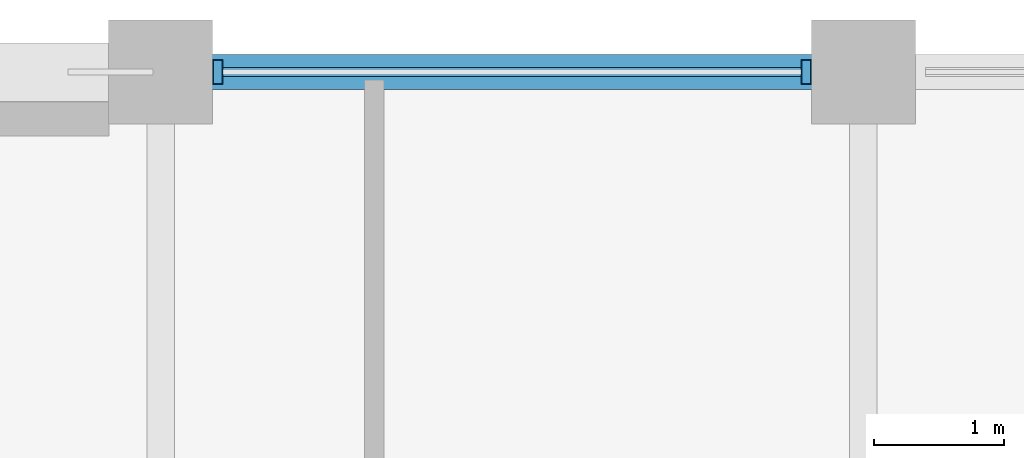
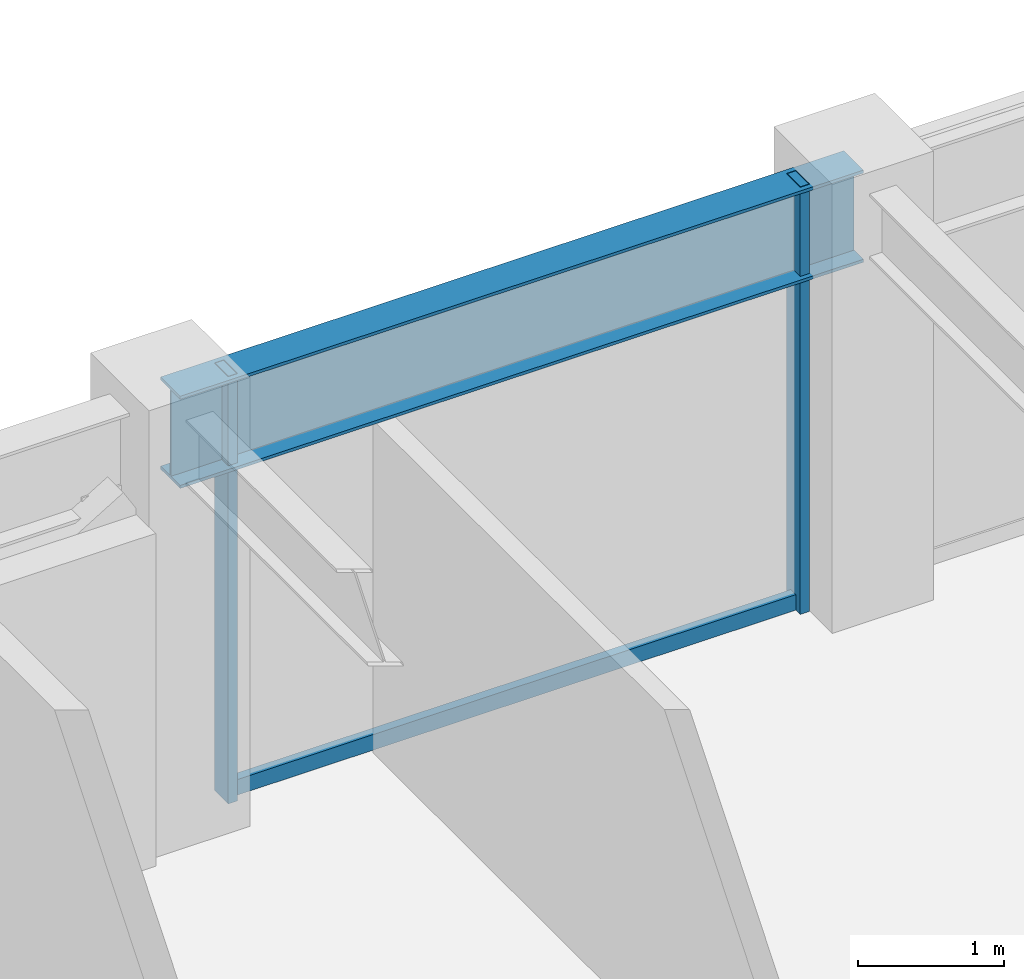
# One storey, part 20 of 30: 3 members, 1 beam, 1 element without a shape of its own.
"""IFC4 building model written with IfcOpenShell, lengths in metres."""

import ifcopenshell
import ifcopenshell.guid

model = None  # the IFC model being written
_history = None  # IfcOwnerHistory: only IFC2X3 demands one
_inside = {}  # id of a spatial element -> (the spatial element, [elements in it])
_under = {}  # id of a project, library or spatial element -> (it, [spatial elements below it])
_declared = {}  # id of a project -> (the project, [libraries it declares])
_typed = {}  # id of a type object -> (the type object, [elements of that type])
_made_of = {}  # id of a material, layer set ... -> (it, [elements and type objects made of it])


def new_model(schema):
    """Start an empty IFC model of exactly this schema.

    Asked for "IFC4X3", IfcOpenShell would pick the latest addendum, in which some entities
    have other attributes; the version numbers below select the first issue.
    IFC2X3 requires an IfcOwnerHistory on every rooted entity: one is made here for all.
    """
    global model, _history
    if schema == "IFC4X3":
        model = ifcopenshell.file(schema_version=(4, 3, 0, 0))
    else:
        model = ifcopenshell.file(schema=schema)
    _inside.clear()
    _under.clear()
    _declared.clear()
    _typed.clear()
    _made_of.clear()
    _history = None
    if model.schema == "IFC2X3":
        org = make("IfcOrganization", Name="unknown")
        user = make(
            "IfcPersonAndOrganization",
            ThePerson=make("IfcPerson", FamilyName="unknown"),
            TheOrganization=org,
        )
        app = make(
            "IfcApplication",
            ApplicationDeveloper=org,
            Version="unknown",
            ApplicationFullName="unknown",
            ApplicationIdentifier="unknown",
        )
        _history = make(
            "IfcOwnerHistory",
            OwningUser=user,
            OwningApplication=app,
            ChangeAction="ADDED",
            CreationDate=0,
        )
    return model


def make(cls, **values):
    """One entity of the class cls with the attributes given. An attribute that is None is left unset."""
    return model.create_entity(
        cls, **{name: value for name, value in values.items() if value is not None}
    )


def rooted(cls, **values):
    """An entity with a GlobalId (a new one), such as an element, a storey or a relation."""
    return make(cls, GlobalId=ifcopenshell.guid.new(), OwnerHistory=_history, **values)


def si_unit(unit_type, name, prefix=None):
    """IfcSIUnit, for example si_unit("LENGTHUNIT", "METRE", prefix="MILLI")."""
    return make("IfcSIUnit", UnitType=unit_type, Prefix=prefix, Name=name)


def assignment(units):
    """IfcUnitAssignment: the units of a project."""
    return None if units is None else make("IfcUnitAssignment", Units=units)


def point(xyz):
    """IfcCartesianPoint."""
    return None if xyz is None else make("IfcCartesianPoint", Coordinates=xyz)


def direction(xyz):
    """IfcDirection."""
    return None if xyz is None else make("IfcDirection", DirectionRatios=xyz)


def frame(location, z_axis=None, x_axis=None):
    """IfcAxis2Placement3D, a coordinate frame: its origin and axes. An axis left out is left unset."""
    return make(
        "IfcAxis2Placement3D",
        Location=point(location),
        Axis=direction(z_axis),
        RefDirection=direction(x_axis),
    )


def frame_2d(location, x_axis=None):
    """IfcAxis2Placement2D, a coordinate frame in the plane: its origin and x axis."""
    return make(
        "IfcAxis2Placement2D", Location=point(location), RefDirection=direction(x_axis)
    )


def origin():
    """The frame at (0, 0, 0) with its axes left unset."""
    return frame((0.0, 0.0, 0.0))


def origin_2d():
    """The frame at (0, 0) in the plane with its x axis left unset."""
    return frame_2d((0.0, 0.0))


def place(relative_to, where):
    """IfcLocalPlacement: puts the frame where relative to a parent placement (None: the world)."""
    return make(
        "IfcLocalPlacement", PlacementRelTo=relative_to, RelativePlacement=where
    )


def context(
    kind, dimensions, precision=None, world=None, true_north=None, identifier=None
):
    """IfcGeometricRepresentationContext, for example the 3D "Model" context."""
    return make(
        "IfcGeometricRepresentationContext",
        ContextIdentifier=identifier,
        ContextType=kind,
        CoordinateSpaceDimension=dimensions,
        Precision=precision,
        WorldCoordinateSystem=world,
        TrueNorth=true_north,
    )


def subcontext(parent, identifier, kind, view, scale=None):
    """IfcGeometricRepresentationSubContext, for example "Body" below "Model"."""
    return make(
        "IfcGeometricRepresentationSubContext",
        ContextIdentifier=identifier,
        ContextType=kind,
        ParentContext=parent,
        TargetScale=scale,
        TargetView=view,
    )


def project(units=None, contexts=None):
    """IfcProject with its units and contexts."""
    return rooted(
        "IfcProject",
        Name="project",
        RepresentationContexts=contexts,
        UnitsInContext=assignment(units),
    )


def spatial(cls, under=None, at=None, **own):
    """A site, building, storey or space (cls), placed at a placement, below another one or the project."""
    s = rooted(cls, ObjectPlacement=at, **own)
    if under is not None:
        _under.setdefault(under.id(), (under, []))[1].append(s)
    return s


def profile(cls, at=None, kind="AREA", **sizes):
    """A parametric profile (cls). Its sizes go by their IFC names, for example OverallWidth=200.0."""
    return make(cls, ProfileType=kind, Position=at, **sizes)


def hollow_rectangle(**sizes):
    """IfcRectangleHollowProfileDef."""
    return profile("IfcRectangleHollowProfileDef", **sizes)


def i_section(**sizes):
    """IfcIShapeProfileDef."""
    return profile("IfcIShapeProfileDef", **sizes)


def extrude(swept, where, along, depth):
    """IfcExtrudedAreaSolid: the profile swept, set in the frame where, extruded along a direction by depth."""
    return make(
        "IfcExtrudedAreaSolid",
        SweptArea=swept,
        Position=where,
        ExtrudedDirection=direction(along),
        Depth=depth,
    )


def shape(context_of_items, identifier, shape_type, items):
    """IfcShapeRepresentation: the items that make up one representation, for example the "Body"."""
    return make(
        "IfcShapeRepresentation",
        ContextOfItems=context_of_items,
        RepresentationIdentifier=identifier,
        RepresentationType=shape_type,
        Items=items,
    )


def material(Name=None, Category=None):
    """IfcMaterial."""
    return make("IfcMaterial", Name=Name, Category=Category)


def layer(
    of_material, thickness, ventilated=None, Name=None, Category=None, Priority=None
):
    """IfcMaterialLayer: one layer of a wall or slab, of a material (None: an air gap)."""
    return make(
        "IfcMaterialLayer",
        Material=of_material,
        LayerThickness=thickness,
        IsVentilated=ventilated,
        Name=Name,
        Category=Category,
        Priority=Priority,
    )


def layer_set(layers, Name=None):
    """IfcMaterialLayerSet."""
    return make("IfcMaterialLayerSet", MaterialLayers=layers, LayerSetName=Name)


def material_profile(
    of_material, cross_section, Name=None, Category=None, Priority=None
):
    """IfcMaterialProfile: a cross section and its material."""
    return make(
        "IfcMaterialProfile",
        Name=Name,
        Material=of_material,
        Profile=cross_section,
        Priority=Priority,
        Category=Category,
    )


def profile_set(profiles, Name=None, composite=None):
    """IfcMaterialProfileSet."""
    return make(
        "IfcMaterialProfileSet",
        Name=Name,
        MaterialProfiles=profiles,
        CompositeProfile=composite,
    )


def made_of(thing, what):
    """Note that an element or type object is made of a material, layer set ...; save() writes the relation."""
    if what is not None:
        _made_of.setdefault(what.id(), (what, []))[1].append(thing)
    return thing


def type_object(cls, material=None, **own):
    """A type object (cls), such as IfcWallType, which elements share."""
    return made_of(rooted(cls, **own), material)


def element(
    cls,
    number,
    at=None,
    inside=None,
    cuts=None,
    type_object=None,
    material=None,
    context=None,
    identifier="Body",
    shape_type=None,
    held_by="IfcProductDefinitionShape",
    body=None,
    shapes=None,
    **own,
):
    """One element of the class cls, such as IfcWall. Its Tag is "e" and its number.

    at: its placement. inside: the storey or other place that contains it. cuts: it is an
    opening in that element (IfcRelVoidsElement). A single representation is given by context,
    identifier, shape_type and body (its items); several are given by shapes. held_by: the class
    of the entity that holds the representations. save() writes the other relations.
    """
    e = rooted(cls, Tag="e%d" % number, ObjectPlacement=at, **own)
    if body is not None:
        shapes = [shape(context, identifier, shape_type, body)]
    if shapes is not None:
        e.Representation = make(held_by, Representations=shapes)
    if inside is not None:
        _inside.setdefault(inside.id(), (inside, []))[1].append(e)
    if cuts is not None:
        rooted(
            "IfcRelVoidsElement", RelatingBuildingElement=cuts, RelatedOpeningElement=e
        )
    if type_object is not None:
        _typed.setdefault(type_object.id(), (type_object, []))[1].append(e)
    return made_of(e, material)


def aggregate(whole, parts):
    """IfcRelAggregates: a whole, such as a stair, and the parts it consists of."""
    return rooted("IfcRelAggregates", RelatingObject=whole, RelatedObjects=parts)


def save(model, path):
    """Write the relations noted so far, then the file.

    IfcRelAggregates (storeys below a building ...), IfcRelContainedInSpatialStructure (elements
    in a storey), IfcRelDefinesByType, IfcRelAssociatesMaterial and IfcRelDeclares: one each for
    every whole, place, type object, material and project.
    """
    for whole, parts in _under.values():
        aggregate(whole, parts)
    for where, things in _inside.values():
        rooted(
            "IfcRelContainedInSpatialStructure",
            RelatedElements=things,
            RelatingStructure=where,
        )
    for kind, things in _typed.values():
        rooted("IfcRelDefinesByType", RelatedObjects=things, RelatingType=kind)
    for what, things in _made_of.values():
        rooted("IfcRelAssociatesMaterial", RelatedObjects=things, RelatingMaterial=what)
    for by, libraries in _declared.values():
        rooted("IfcRelDeclares", RelatingContext=by, RelatedDefinitions=libraries)
    model.write(path)


model = new_model("IFC4")

# Units and contexts
model_context = context("Model", 3, precision=1e-05, world=origin(), true_north=direction((0.0, 1.0)))
body_context = subcontext(model_context, "Body", "Model", "MODEL_VIEW")
ifc_project = project(units=[si_unit("LENGTHUNIT", "METRE"), si_unit("AREAUNIT", "SQUARE_METRE"), si_unit("VOLUMEUNIT", "CUBIC_METRE"), si_unit("PLANEANGLEUNIT", "RADIAN"), si_unit("MASSUNIT", "GRAM", prefix="KILO")], contexts=[model_context])

# Site, building, storey
site_placement = place(None, origin())
site = spatial("IfcSite", under=ifc_project, at=site_placement, CompositionType="ELEMENT")
building_placement = place(site_placement, origin())
building = spatial("IfcBuilding", under=site, at=building_placement, Name="Surkhivell Harbour Commons", CompositionType="ELEMENT")
storey_placement = place(building_placement, frame((0.0, 0.0, 231.0)))
storey = spatial("IfcBuildingStorey", under=building, at=storey_placement, Name="L60", CompositionType="ELEMENT", Elevation=231.0)

# Beam
ifc_material_1 = material(Name="Steel S355", Category="steel")
ifc_material_profile_1 = material_profile(ifc_material_1, i_section(OverallWidth=0.26806640625, OverallDepth=0.77001953125, WebThickness=0.015625, FlangeThickness=0.025390625, at=origin_2d()), Name="UB762x267x197")
ifc_profile_set_1 = profile_set([ifc_material_profile_1], Name="Steel S355")
beam_type = type_object("IfcBeamType", Name="BM-SPN-762", PredefinedType="SPANDREL", material=ifc_profile_set_1)
beam_placement = place(storey_placement, frame((5.39990234375, 25.89990234375, 3.18505859375), z_axis=(1.0, 0.0, 0.0), x_axis=(0.0, 1.0, 0.0)))
element("IfcBeam", 1, at=beam_placement, inside=storey, type_object=beam_type, Name="L60 Tube Spandrel (5.4,25.9)", PredefinedType="SPANDREL", context=body_context, shape_type="SweptSolid", body=[
    extrude(i_section(OverallWidth=0.26806640625, OverallDepth=0.77001953125, WebThickness=0.015625, FlangeThickness=0.025390625, at=origin_2d()), origin(), (0.0, 0.0, 1.0), 5.400146484375),
])

# Curtain wall, members
ifc_material_2 = material(Name="Anodised pale-metal aluminium and insulated glazing", Category="aluminium")
ifc_layer = layer(ifc_material_2, 0.18994140625)
ifc_layer_set = layer_set([ifc_layer], Name="Anodised pale-metal aluminium and insulated glazing")
curtain_wall_type = type_object("IfcCurtainWallType", Name="CW-SYS-Z3", PredefinedType="NOTDEFINED", material=ifc_layer_set)
curtain_wall_placement = place(storey_placement, origin())
curtain_wall = element("IfcCurtainWall", 2, at=curtain_wall_placement, inside=storey, type_object=curtain_wall_type, Name="L60 Curtain Wall CW-L60-E07S1", PredefinedType="NOTDEFINED")
ifc_material_3 = material(Name="Anodised pale-metal aluminium alloy 6063-T6", Category="aluminium")
ifc_material_profile_2 = material_profile(ifc_material_3, hollow_rectangle(XDim=0.074951171875, YDim=0.18994140625, WallThickness=0.00390625, at=origin_2d()), Name="ALU-MULL-75x190")
ifc_profile_set_2 = profile_set([ifc_material_profile_2], Name="Anodised pale-metal aluminium alloy 6063-T6")
member_type_1 = type_object("IfcMemberType", Name="CWM-190", PredefinedType="MULLION", material=ifc_profile_set_2)
member_1_placement = place(storey_placement, frame((10.360595703125, 25.89990234375, 0.0), z_axis=(0.0, 0.0, 1.0), x_axis=(-1.0, 0.0, 0.0)))
member_1 = element("IfcMember", 3, at=member_1_placement, type_object=member_type_1, Name="CW-Z3 mullion 2", PredefinedType="MULLION", context=body_context, shape_type="SweptSolid", body=[
    extrude(hollow_rectangle(XDim=0.074951171875, YDim=0.18994140625, WallThickness=0.00390625, at=origin_2d()), origin(), (0.0, 0.0, 1.0), 3.570068359375),
])
member_2_placement = place(storey_placement, frame((5.839599609375, 25.89990234375, 0.0), z_axis=(0.0, 0.0, 1.0), x_axis=(-1.0, 0.0, 0.0)))
member_2 = element("IfcMember", 4, at=member_2_placement, type_object=member_type_1, Name="CW-Z3 mullion 3", PredefinedType="MULLION", context=body_context, shape_type="SweptSolid", body=[
    extrude(hollow_rectangle(XDim=0.074951171875, YDim=0.18994140625, WallThickness=0.00390625, at=origin_2d()), origin(), (0.0, 0.0, 1.0), 3.570068359375),
])
ifc_material_4 = material(Name="Champagne anodised aluminium alloy 6063-T6", Category="aluminium")
ifc_material_profile_3 = material_profile(ifc_material_4, hollow_rectangle(XDim=0.070068359375, YDim=0.1298828125, WallThickness=0.00341796875, at=origin_2d()), Name="ALU-TRAN-70x130")
ifc_profile_set_3 = profile_set([ifc_material_profile_3], Name="Champagne anodised aluminium alloy 6063-T6")
member_type_2 = type_object("IfcMemberType", Name="CWT-130", PredefinedType="USERDEFINED", material=ifc_profile_set_3)
member_3_placement = place(storey_placement, frame((10.322998046875, 25.89990234375, 0.06494140625), z_axis=(-1.0, 0.0, 0.0), x_axis=(0.0, -1.0, 0.0)))
member_3 = element("IfcMember", 5, at=member_3_placement, type_object=member_type_2, Name="CW-Z3 transom 2.1", ObjectType="TRANSOM", PredefinedType="USERDEFINED", context=body_context, shape_type="SweptSolid", body=[
    extrude(hollow_rectangle(XDim=0.070068359375, YDim=0.1298828125, WallThickness=0.00341796875, at=origin_2d()), origin(), (0.0, 0.0, 1.0), 4.446044921875),
])
aggregate(curtain_wall, [member_1, member_2, member_3])

save(model, "model.ifc")
